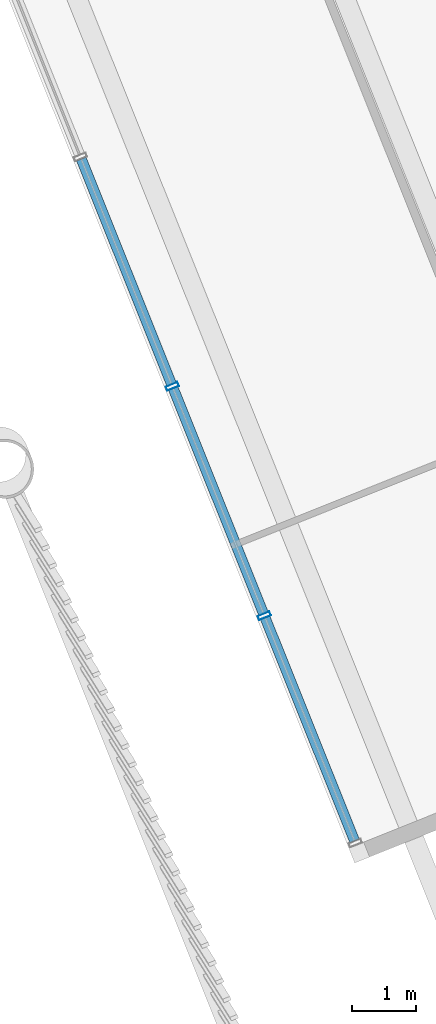
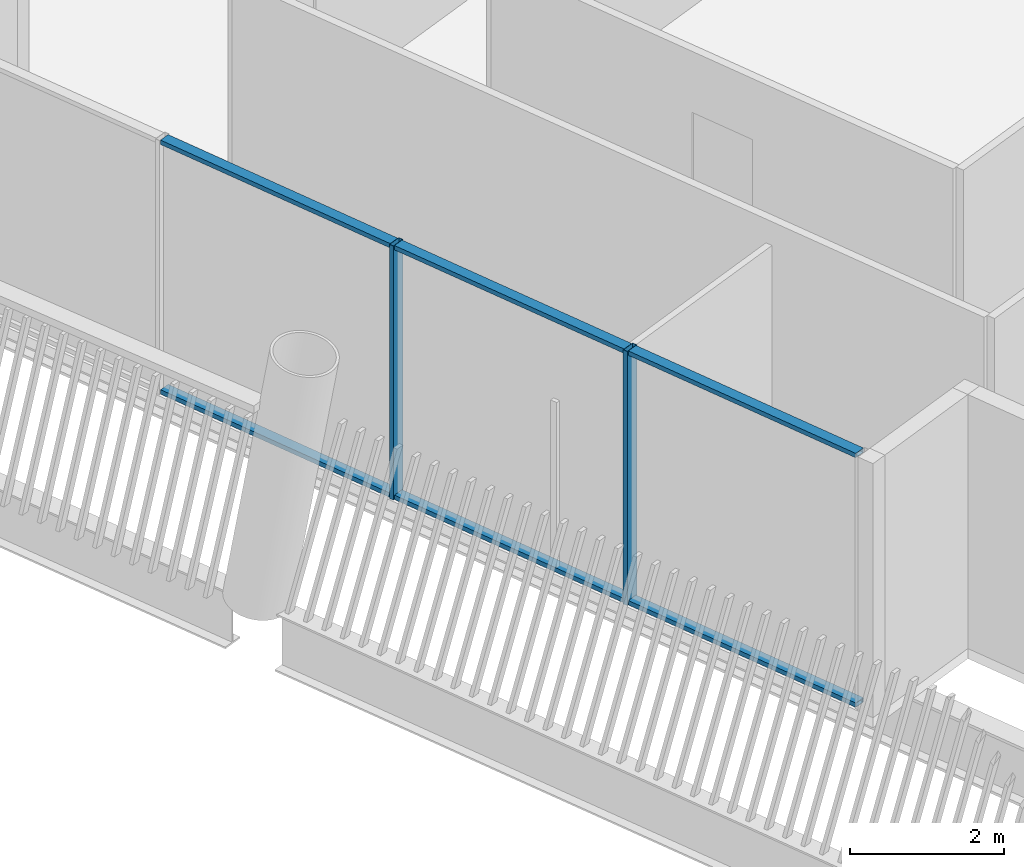
# One storey, part 3 of 27: 8 members, 1 element without a shape of its own.
"""IFC4 building model written with IfcOpenShell, lengths in metres."""

import ifcopenshell
import ifcopenshell.guid

model = None  # the IFC model being written
_history = None  # IfcOwnerHistory: only IFC2X3 demands one
_inside = {}  # id of a spatial element -> (the spatial element, [elements in it])
_under = {}  # id of a project, library or spatial element -> (it, [spatial elements below it])
_declared = {}  # id of a project -> (the project, [libraries it declares])
_typed = {}  # id of a type object -> (the type object, [elements of that type])
_made_of = {}  # id of a material, layer set ... -> (it, [elements and type objects made of it])


def new_model(schema):
    """Start an empty IFC model of exactly this schema.

    Asked for "IFC4X3", IfcOpenShell would pick the latest addendum, in which some entities
    have other attributes; the version numbers below select the first issue.
    IFC2X3 requires an IfcOwnerHistory on every rooted entity: one is made here for all.
    """
    global model, _history
    if schema == "IFC4X3":
        model = ifcopenshell.file(schema_version=(4, 3, 0, 0))
    else:
        model = ifcopenshell.file(schema=schema)
    _inside.clear()
    _under.clear()
    _declared.clear()
    _typed.clear()
    _made_of.clear()
    _history = None
    if model.schema == "IFC2X3":
        org = make("IfcOrganization", Name="unknown")
        user = make(
            "IfcPersonAndOrganization",
            ThePerson=make("IfcPerson", FamilyName="unknown"),
            TheOrganization=org,
        )
        app = make(
            "IfcApplication",
            ApplicationDeveloper=org,
            Version="unknown",
            ApplicationFullName="unknown",
            ApplicationIdentifier="unknown",
        )
        _history = make(
            "IfcOwnerHistory",
            OwningUser=user,
            OwningApplication=app,
            ChangeAction="ADDED",
            CreationDate=0,
        )
    return model


def make(cls, **values):
    """One entity of the class cls with the attributes given. An attribute that is None is left unset."""
    return model.create_entity(
        cls, **{name: value for name, value in values.items() if value is not None}
    )


def rooted(cls, **values):
    """An entity with a GlobalId (a new one), such as an element, a storey or a relation."""
    return make(cls, GlobalId=ifcopenshell.guid.new(), OwnerHistory=_history, **values)


def si_unit(unit_type, name, prefix=None):
    """IfcSIUnit, for example si_unit("LENGTHUNIT", "METRE", prefix="MILLI")."""
    return make("IfcSIUnit", UnitType=unit_type, Prefix=prefix, Name=name)


def assignment(units):
    """IfcUnitAssignment: the units of a project."""
    return None if units is None else make("IfcUnitAssignment", Units=units)


def point(xyz):
    """IfcCartesianPoint."""
    return None if xyz is None else make("IfcCartesianPoint", Coordinates=xyz)


def direction(xyz):
    """IfcDirection."""
    return None if xyz is None else make("IfcDirection", DirectionRatios=xyz)


def frame(location, z_axis=None, x_axis=None):
    """IfcAxis2Placement3D, a coordinate frame: its origin and axes. An axis left out is left unset."""
    return make(
        "IfcAxis2Placement3D",
        Location=point(location),
        Axis=direction(z_axis),
        RefDirection=direction(x_axis),
    )


def frame_2d(location, x_axis=None):
    """IfcAxis2Placement2D, a coordinate frame in the plane: its origin and x axis."""
    return make(
        "IfcAxis2Placement2D", Location=point(location), RefDirection=direction(x_axis)
    )


def origin():
    """The frame at (0, 0, 0) with its axes left unset."""
    return frame((0.0, 0.0, 0.0))


def origin_2d():
    """The frame at (0, 0) in the plane with its x axis left unset."""
    return frame_2d((0.0, 0.0))


def place(relative_to, where):
    """IfcLocalPlacement: puts the frame where relative to a parent placement (None: the world)."""
    return make(
        "IfcLocalPlacement", PlacementRelTo=relative_to, RelativePlacement=where
    )


def context(
    kind, dimensions, precision=None, world=None, true_north=None, identifier=None
):
    """IfcGeometricRepresentationContext, for example the 3D "Model" context."""
    return make(
        "IfcGeometricRepresentationContext",
        ContextIdentifier=identifier,
        ContextType=kind,
        CoordinateSpaceDimension=dimensions,
        Precision=precision,
        WorldCoordinateSystem=world,
        TrueNorth=true_north,
    )


def subcontext(parent, identifier, kind, view, scale=None):
    """IfcGeometricRepresentationSubContext, for example "Body" below "Model"."""
    return make(
        "IfcGeometricRepresentationSubContext",
        ContextIdentifier=identifier,
        ContextType=kind,
        ParentContext=parent,
        TargetScale=scale,
        TargetView=view,
    )


def project(units=None, contexts=None):
    """IfcProject with its units and contexts."""
    return rooted(
        "IfcProject",
        Name="project",
        RepresentationContexts=contexts,
        UnitsInContext=assignment(units),
    )


def spatial(cls, under=None, at=None, **own):
    """A site, building, storey or space (cls), placed at a placement, below another one or the project."""
    s = rooted(cls, ObjectPlacement=at, **own)
    if under is not None:
        _under.setdefault(under.id(), (under, []))[1].append(s)
    return s


def profile(cls, at=None, kind="AREA", **sizes):
    """A parametric profile (cls). Its sizes go by their IFC names, for example OverallWidth=200.0."""
    return make(cls, ProfileType=kind, Position=at, **sizes)


def hollow_rectangle(**sizes):
    """IfcRectangleHollowProfileDef."""
    return profile("IfcRectangleHollowProfileDef", **sizes)


def extrude(swept, where, along, depth):
    """IfcExtrudedAreaSolid: the profile swept, set in the frame where, extruded along a direction by depth."""
    return make(
        "IfcExtrudedAreaSolid",
        SweptArea=swept,
        Position=where,
        ExtrudedDirection=direction(along),
        Depth=depth,
    )


def shape(context_of_items, identifier, shape_type, items):
    """IfcShapeRepresentation: the items that make up one representation, for example the "Body"."""
    return make(
        "IfcShapeRepresentation",
        ContextOfItems=context_of_items,
        RepresentationIdentifier=identifier,
        RepresentationType=shape_type,
        Items=items,
    )


def material(Name=None, Category=None):
    """IfcMaterial."""
    return make("IfcMaterial", Name=Name, Category=Category)


def layer(
    of_material, thickness, ventilated=None, Name=None, Category=None, Priority=None
):
    """IfcMaterialLayer: one layer of a wall or slab, of a material (None: an air gap)."""
    return make(
        "IfcMaterialLayer",
        Material=of_material,
        LayerThickness=thickness,
        IsVentilated=ventilated,
        Name=Name,
        Category=Category,
        Priority=Priority,
    )


def layer_set(layers, Name=None):
    """IfcMaterialLayerSet."""
    return make("IfcMaterialLayerSet", MaterialLayers=layers, LayerSetName=Name)


def material_profile(
    of_material, cross_section, Name=None, Category=None, Priority=None
):
    """IfcMaterialProfile: a cross section and its material."""
    return make(
        "IfcMaterialProfile",
        Name=Name,
        Material=of_material,
        Profile=cross_section,
        Priority=Priority,
        Category=Category,
    )


def profile_set(profiles, Name=None, composite=None):
    """IfcMaterialProfileSet."""
    return make(
        "IfcMaterialProfileSet",
        Name=Name,
        MaterialProfiles=profiles,
        CompositeProfile=composite,
    )


def made_of(thing, what):
    """Note that an element or type object is made of a material, layer set ...; save() writes the relation."""
    if what is not None:
        _made_of.setdefault(what.id(), (what, []))[1].append(thing)
    return thing


def type_object(cls, material=None, **own):
    """A type object (cls), such as IfcWallType, which elements share."""
    return made_of(rooted(cls, **own), material)


def element(
    cls,
    number,
    at=None,
    inside=None,
    cuts=None,
    type_object=None,
    material=None,
    context=None,
    identifier="Body",
    shape_type=None,
    held_by="IfcProductDefinitionShape",
    body=None,
    shapes=None,
    **own,
):
    """One element of the class cls, such as IfcWall. Its Tag is "e" and its number.

    at: its placement. inside: the storey or other place that contains it. cuts: it is an
    opening in that element (IfcRelVoidsElement). A single representation is given by context,
    identifier, shape_type and body (its items); several are given by shapes. held_by: the class
    of the entity that holds the representations. save() writes the other relations.
    """
    e = rooted(cls, Tag="e%d" % number, ObjectPlacement=at, **own)
    if body is not None:
        shapes = [shape(context, identifier, shape_type, body)]
    if shapes is not None:
        e.Representation = make(held_by, Representations=shapes)
    if inside is not None:
        _inside.setdefault(inside.id(), (inside, []))[1].append(e)
    if cuts is not None:
        rooted(
            "IfcRelVoidsElement", RelatingBuildingElement=cuts, RelatedOpeningElement=e
        )
    if type_object is not None:
        _typed.setdefault(type_object.id(), (type_object, []))[1].append(e)
    return made_of(e, material)


def aggregate(whole, parts):
    """IfcRelAggregates: a whole, such as a stair, and the parts it consists of."""
    return rooted("IfcRelAggregates", RelatingObject=whole, RelatedObjects=parts)


def save(model, path):
    """Write the relations noted so far, then the file.

    IfcRelAggregates (storeys below a building ...), IfcRelContainedInSpatialStructure (elements
    in a storey), IfcRelDefinesByType, IfcRelAssociatesMaterial and IfcRelDeclares: one each for
    every whole, place, type object, material and project.
    """
    for whole, parts in _under.values():
        aggregate(whole, parts)
    for where, things in _inside.values():
        rooted(
            "IfcRelContainedInSpatialStructure",
            RelatedElements=things,
            RelatingStructure=where,
        )
    for kind, things in _typed.values():
        rooted("IfcRelDefinesByType", RelatedObjects=things, RelatingType=kind)
    for what, things in _made_of.values():
        rooted("IfcRelAssociatesMaterial", RelatedObjects=things, RelatingMaterial=what)
    for by, libraries in _declared.values():
        rooted("IfcRelDeclares", RelatingContext=by, RelatedDefinitions=libraries)
    model.write(path)


model = new_model("IFC4")

# Units and contexts
model_context = context("Model", 3, precision=1e-05, world=origin(), true_north=direction((0.0, 1.0)))
body_context = subcontext(model_context, "Body", "Model", "MODEL_VIEW")
ifc_project = project(units=[si_unit("LENGTHUNIT", "METRE"), si_unit("AREAUNIT", "SQUARE_METRE"), si_unit("VOLUMEUNIT", "CUBIC_METRE"), si_unit("PLANEANGLEUNIT", "RADIAN"), si_unit("MASSUNIT", "GRAM", prefix="KILO")], contexts=[model_context])

# Site, building, storey
site_placement = place(None, origin())
site = spatial("IfcSite", under=ifc_project, at=site_placement, CompositionType="ELEMENT")
building_placement = place(site_placement, origin())
building = spatial("IfcBuilding", under=site, at=building_placement, Name="Tarsis Ring Headquarters", CompositionType="ELEMENT")
storey_placement = place(building_placement, frame((0.0, 0.0, 373.39990234375)))
storey = spatial("IfcBuildingStorey", under=building, at=storey_placement, Name="L88", CompositionType="ELEMENT", Elevation=373.39990234375)

# Curtain wall, members
ifc_material_1 = material(Name="Aluminium curtain wall", Category="aluminium")
ifc_layer = layer(ifc_material_1, 0.199951171875)
ifc_layer_set = layer_set([ifc_layer], Name="Curtain wall executive tip")
curtain_wall_type = type_object("IfcCurtainWallType", Name="Curtain wall executive tip", PredefinedType="NOTDEFINED", material=ifc_layer_set)
curtain_wall_placement = place(storey_placement, origin())
curtain_wall = element("IfcCurtainWall", 1, at=curtain_wall_placement, inside=storey, type_object=curtain_wall_type, Name="Curtain wall L88-36", PredefinedType="NOTDEFINED")
ifc_material_2 = material(Name="Aluminium mullion", Category="aluminium")
ifc_material_profile_1 = material_profile(ifc_material_2, hollow_rectangle(XDim=0.199951171875, YDim=0.070068359375, WallThickness=0.0048828125, at=origin_2d()), Name="RHS 200x70x5")
ifc_profile_set_1 = profile_set([ifc_material_profile_1], Name="Aluminium mullion")
member_type_1 = type_object("IfcMemberType", Name="Curtain wall mullion executive tip RHS 200x70x5", PredefinedType="MULLION", material=ifc_profile_set_1)
member_1_placement = place(storey_placement, frame((-37.012939453125, -14.834228515625, 0.0), z_axis=(0.0, 0.0, 1.0), x_axis=(0.928226340133, 0.372015942513, 0.0)))
member_1 = element("IfcMember", 2, at=member_1_placement, type_object=member_type_1, Name="CW-E mullion 3", PredefinedType="MULLION", context=body_context, shape_type="SweptSolid", body=[
    extrude(hollow_rectangle(XDim=0.199951171875, YDim=0.070068359375, WallThickness=0.0048828125, at=origin_2d()), origin(), (0.0, 0.0, 1.0), 4.0400390625),
])
member_2_placement = place(storey_placement, frame((-35.571533203125, -18.430908203125, 0.0), z_axis=(0.0, 0.0, 1.0), x_axis=(0.928226340133, 0.372015942513, 0.0)))
member_2 = element("IfcMember", 3, at=member_2_placement, type_object=member_type_1, Name="CW-E mullion 4", PredefinedType="MULLION", context=body_context, shape_type="SweptSolid", body=[
    extrude(hollow_rectangle(XDim=0.199951171875, YDim=0.070068359375, WallThickness=0.0048828125, at=origin_2d()), origin(), (0.0, 0.0, 1.0), 4.0400390625),
])
ifc_material_3 = material(Name="Aluminium transom", Category="aluminium")
ifc_material_profile_2 = material_profile(ifc_material_3, hollow_rectangle(XDim=0.159912109375, YDim=0.070068359375, WallThickness=0.0048828125, at=origin_2d()), Name="RHS 160x70x5")
ifc_profile_set_2 = profile_set([ifc_material_profile_2], Name="Aluminium transom")
member_type_2 = type_object("IfcMemberType", Name="Curtain wall transom executive tip RHS 160x70x5", PredefinedType="USERDEFINED", material=ifc_profile_set_2)
member_3_placement = place(storey_placement, frame((-38.441650390625, -11.269775390625, 0.03515625), z_axis=(0.372010086879, -0.928228686941, 0.0), x_axis=(0.928228686941, 0.372010086879, 0.0)))
member_3 = element("IfcMember", 4, at=member_3_placement, type_object=member_type_2, Name="CW-E transom 2.1", ObjectType="TRANSOM", PredefinedType="USERDEFINED", context=body_context, shape_type="SweptSolid", body=[
    extrude(hollow_rectangle(XDim=0.159912109375, YDim=0.070068359375, WallThickness=0.0048828125, at=origin_2d()), origin(), (0.0, 0.0, 1.0), 3.80517578125),
])
member_4_placement = place(storey_placement, frame((-38.441650390625, -11.269775390625, 4.005126953125), z_axis=(0.372010086879, -0.928228686941, 0.0), x_axis=(0.928228686941, 0.372010086879, 0.0)))
member_4 = element("IfcMember", 5, at=member_4_placement, type_object=member_type_2, Name="CW-E transom 2.2", ObjectType="TRANSOM", PredefinedType="USERDEFINED", context=body_context, shape_type="SweptSolid", body=[
    extrude(hollow_rectangle(XDim=0.159912109375, YDim=0.070068359375, WallThickness=0.0048828125, at=origin_2d()), origin(), (0.0, 0.0, 1.0), 3.80517578125),
])
member_5_placement = place(storey_placement, frame((-37.0, -14.86669921875, 0.03515625), z_axis=(0.37203224383, -0.9282198067, 0.0), x_axis=(0.9282198067, 0.37203224383, 0.0)))
member_5 = element("IfcMember", 6, at=member_5_placement, type_object=member_type_2, Name="CW-E transom 3.1", ObjectType="TRANSOM", PredefinedType="USERDEFINED", context=body_context, shape_type="SweptSolid", body=[
    extrude(hollow_rectangle(XDim=0.159912109375, YDim=0.070068359375, WallThickness=0.0048828125, at=origin_2d()), origin(), (0.0, 0.0, 1.0), 3.804931640625),
])
member_6_placement = place(storey_placement, frame((-37.0, -14.86669921875, 4.005126953125), z_axis=(0.37203224383, -0.9282198067, 0.0), x_axis=(0.9282198067, 0.37203224383, 0.0)))
member_6 = element("IfcMember", 7, at=member_6_placement, type_object=member_type_2, Name="CW-E transom 3.2", ObjectType="TRANSOM", PredefinedType="USERDEFINED", context=body_context, shape_type="SweptSolid", body=[
    extrude(hollow_rectangle(XDim=0.159912109375, YDim=0.070068359375, WallThickness=0.0048828125, at=origin_2d()), origin(), (0.0, 0.0, 1.0), 3.804931640625),
])
member_7_placement = place(storey_placement, frame((-35.558349609375, -18.46337890625, 0.03515625), z_axis=(0.371971194649, -0.928244272997, 0.0), x_axis=(0.928244272997, 0.371971194649, 0.0)))
member_7 = element("IfcMember", 8, at=member_7_placement, type_object=member_type_2, Name="CW-E transom 4.1", ObjectType="TRANSOM", PredefinedType="USERDEFINED", context=body_context, shape_type="SweptSolid", body=[
    extrude(hollow_rectangle(XDim=0.159912109375, YDim=0.070068359375, WallThickness=0.0048828125, at=origin_2d()), origin(), (0.0, 0.0, 1.0), 3.77001953125),
])
member_8_placement = place(storey_placement, frame((-35.558349609375, -18.46337890625, 4.005126953125), z_axis=(0.371971194649, -0.928244272997, 0.0), x_axis=(0.928244272997, 0.371971194649, 0.0)))
member_8 = element("IfcMember", 9, at=member_8_placement, type_object=member_type_2, Name="CW-E transom 4.2", ObjectType="TRANSOM", PredefinedType="USERDEFINED", context=body_context, shape_type="SweptSolid", body=[
    extrude(hollow_rectangle(XDim=0.159912109375, YDim=0.070068359375, WallThickness=0.0048828125, at=origin_2d()), origin(), (0.0, 0.0, 1.0), 3.77001953125),
])
aggregate(curtain_wall, [member_1, member_2, member_3, member_4, member_5, member_6, member_7, member_8])

save(model, "model.ifc")
